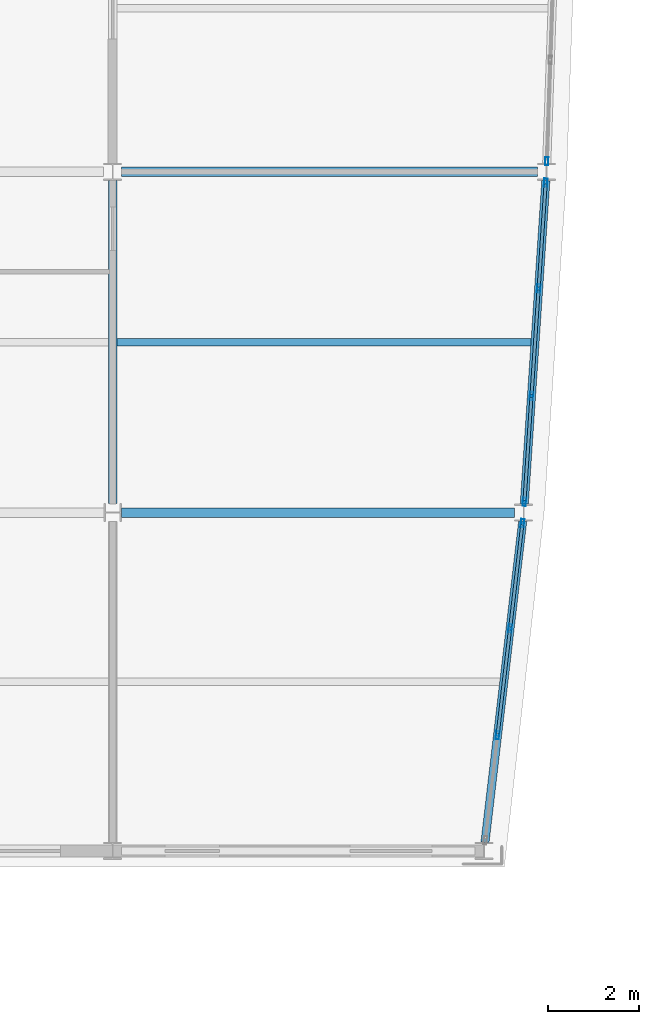
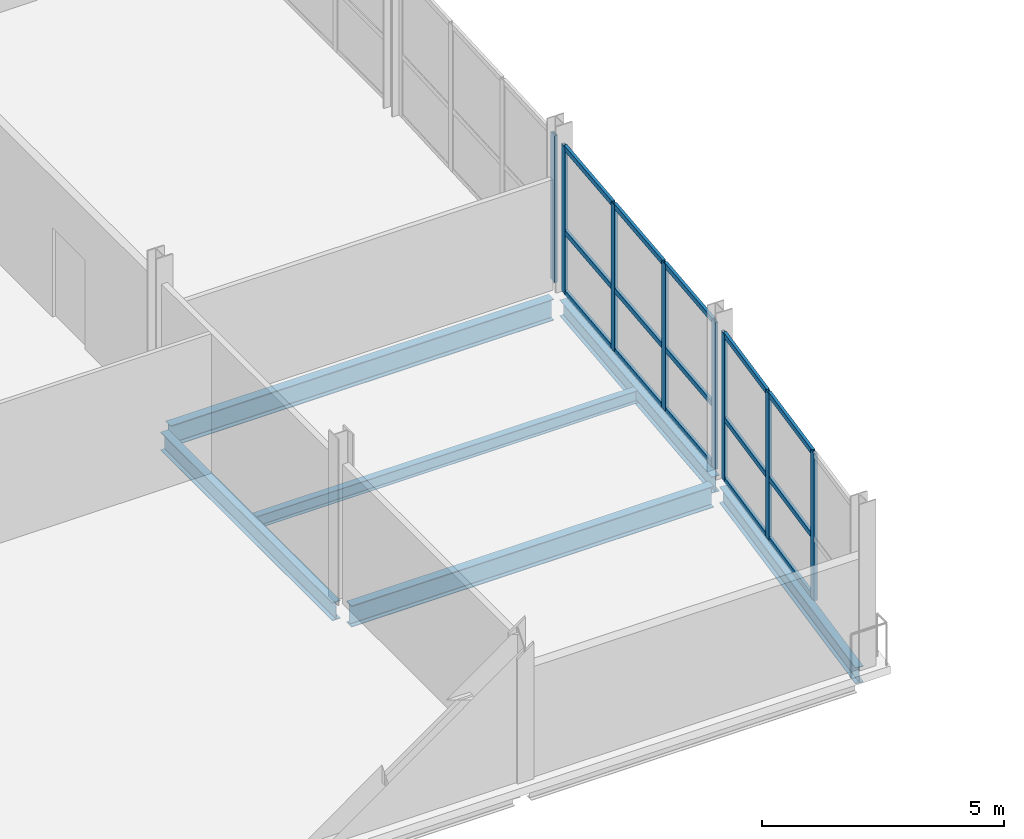
# One storey, part 6 of 36: 23 members, 6 beams, 3 elements without a shape of their own.
"""IFC4 building model written with IfcOpenShell, lengths in metres."""

from ifc_helpers import new_model, si_unit, direction, frame, origin, origin_2d, place, context, subcontext, project, spatial, hollow_rectangle, i_section, extrude, material, layer, layer_set, material_profile, profile_set, type_object, element, aggregate, save


model = new_model("IFC4")

# Units and contexts
model_context = context("Model", 3, precision=1e-05, world=origin(), true_north=direction((0.0, 1.0)))
body_context = subcontext(model_context, "Body", "Model", "MODEL_VIEW")
ifc_project = project(units=[si_unit("LENGTHUNIT", "METRE"), si_unit("AREAUNIT", "SQUARE_METRE"), si_unit("VOLUMEUNIT", "CUBIC_METRE"), si_unit("PLANEANGLEUNIT", "RADIAN"), si_unit("MASSUNIT", "GRAM", prefix="KILO")], contexts=[model_context])

# Site, building, storey
site_placement = place(None, origin())
site = spatial("IfcSite", under=ifc_project, at=site_placement, CompositionType="ELEMENT")
building_placement = place(site_placement, origin())
building = spatial("IfcBuilding", under=site, at=building_placement, Name="Quillay Park Conservatory", CompositionType="ELEMENT")
storey_placement = place(building_placement, frame((0.0, 0.0, 18.300048828125)))
storey = spatial("IfcBuildingStorey", under=building, at=storey_placement, Name="L04", CompositionType="ELEMENT", Elevation=18.300048828125)

# Beam
ifc_material_1 = material(Name="Steel ASTM A992 Grade 50", Category="steel")
ifc_material_profile_1 = material_profile(ifc_material_1, i_section(OverallWidth=0.166015625, OverallDepth=0.31298828125, WebThickness=0.006591796875, FlangeThickness=0.01123046875, FilletRadius=0.010009765625, at=origin_2d()), Name="W310x45")
ifc_profile_set_1 = profile_set([ifc_material_profile_1], Name="Steel ASTM A992 Grade 50")
beam_type_1 = type_object("IfcBeamType", Name="COMPOSITE FLOOR JOIST W310 X45", PredefinedType="JOIST", material=ifc_profile_set_1)
beam_1_placement = place(storey_placement, frame((19.845947265625, 74.25, -0.3564453125), z_axis=(1.0, 0.0, 0.0), x_axis=(0.0, 1.0, 0.0)))
element("IfcBeam", 1, at=beam_1_placement, inside=storey, type_object=beam_type_1, Name="L04 beam BM-J-0346", PredefinedType="JOIST", context=body_context, shape_type="SweptSolid", body=[
    extrude(i_section(OverallWidth=0.166015625, OverallDepth=0.31298828125, WebThickness=0.006591796875, FlangeThickness=0.01123046875, FilletRadius=0.010009765625, at=origin_2d()), origin(), (0.0, 0.0, 1.0), 9.114013671875),
])

# Curtain wall, members
ifc_material_2 = material(Name="Thermally Broken Anodised Aluminium 6063-T6", Category="aluminium")
ifc_layer = layer(ifc_material_2, 0.179931640625)
ifc_layer_set = layer_set([ifc_layer], Name="UNITISED CURTAIN WALL TOWER (Thermally Broken Anodised Aluminium 6063-T6)")
curtain_wall_type = type_object("IfcCurtainWallType", Name="UNITISED CURTAIN WALL TOWER", PredefinedType="USERDEFINED", material=ifc_layer_set)
curtain_wall_1_placement = place(storey_placement, origin())
curtain_wall_1 = element("IfcCurtainWall", 2, at=curtain_wall_1_placement, inside=storey, type_object=curtain_wall_type, Name="L04 Unitised Curtain Wall 038", ObjectType="UNITISED CURTAIN WALL", PredefinedType="USERDEFINED")
ifc_material_3 = material(Name="Thermally Broken Anodised Aluminium 6063-T6", Category="aluminium")
ifc_material_profile_2 = material_profile(ifc_material_3, hollow_rectangle(XDim=0.070068359375, YDim=0.179931640625, WallThickness=0.00390625, at=origin_2d()), Name="AL70x180x4")
ifc_profile_set_2 = profile_set([ifc_material_profile_2], Name="Thermally Broken Anodised Aluminium 6063-T6")
member_type_1 = type_object("IfcMemberType", Name="CURTAIN WALL MULLION 70 X180", PredefinedType="MULLION", material=ifc_profile_set_2)
member_1_placement = place(storey_placement, frame((28.772705078125, 70.2666015625, 0.0), z_axis=(0.0, 0.0, 1.0), x_axis=(0.993172502804, -0.116654959918, 0.0)))
member_1 = element("IfcMember", 3, at=member_1_placement, type_object=member_type_1, Name="CW-T1 mullion 1", PredefinedType="MULLION", context=body_context, shape_type="SweptSolid", body=[
    extrude(hollow_rectangle(XDim=0.070068359375, YDim=0.179931640625, WallThickness=0.00390625, at=origin_2d()), origin(), (0.0, 0.0, 1.0), 3.7119140625),
])
member_2_placement = place(storey_placement, frame((28.50048828125, 67.950439453125, 0.0), z_axis=(0.0, 0.0, 1.0), x_axis=(0.993172502804, -0.116654959918, 0.0)))
member_2 = element("IfcMember", 4, at=member_2_placement, type_object=member_type_1, Name="CW-T1 mullion 2", PredefinedType="MULLION", context=body_context, shape_type="SweptSolid", body=[
    extrude(hollow_rectangle(XDim=0.070068359375, YDim=0.179931640625, WallThickness=0.00390625, at=origin_2d()), origin(), (0.0, 0.0, 1.0), 3.7119140625),
])
member_3_placement = place(storey_placement, frame((28.224365234375, 65.599609375, 0.0), z_axis=(0.0, 0.0, 1.0), x_axis=(0.993172502804, -0.116654959918, 0.0)))
member_3 = element("IfcMember", 5, at=member_3_placement, type_object=member_type_1, Name="CW-T1 mullion 3", PredefinedType="MULLION", context=body_context, shape_type="SweptSolid", body=[
    extrude(hollow_rectangle(XDim=0.070068359375, YDim=0.179931640625, WallThickness=0.00390625, at=origin_2d()), origin(), (0.0, 0.0, 1.0), 3.7119140625),
])

curtain_wall_2_placement = place(storey_placement, origin())
curtain_wall_2 = element("IfcCurtainWall", 6, at=curtain_wall_2_placement, inside=storey, type_object=curtain_wall_type, Name="L04 Unitised Curtain Wall 039", ObjectType="UNITISED CURTAIN WALL", PredefinedType="USERDEFINED")
member_4_placement = place(storey_placement, frame((29.284423828125, 77.765380859375, 0.0), z_axis=(0.0, 0.0, 1.0), x_axis=(0.997785033503, -0.0665208758, 0.0)))
member_4 = element("IfcMember", 7, at=member_4_placement, type_object=member_type_1, Name="CW-T1 mullion 1", PredefinedType="MULLION", context=body_context, shape_type="SweptSolid", body=[
    extrude(hollow_rectangle(XDim=0.070068359375, YDim=0.179931640625, WallThickness=0.00390625, at=origin_2d()), origin(), (0.0, 0.0, 1.0), 3.7119140625),
])
member_5_placement = place(storey_placement, frame((29.12890625, 75.433349609375, 0.0), z_axis=(0.0, 0.0, 1.0), x_axis=(0.997785033503, -0.0665208758, 0.0)))
member_5 = element("IfcMember", 8, at=member_5_placement, type_object=member_type_1, Name="CW-T1 mullion 2", PredefinedType="MULLION", context=body_context, shape_type="SweptSolid", body=[
    extrude(hollow_rectangle(XDim=0.070068359375, YDim=0.179931640625, WallThickness=0.00390625, at=origin_2d()), origin(), (0.0, 0.0, 1.0), 3.7119140625),
])
member_6_placement = place(storey_placement, frame((28.97119140625, 73.066650390625, 0.0), z_axis=(0.0, 0.0, 1.0), x_axis=(0.997785033503, -0.0665208758, 0.0)))
member_6 = element("IfcMember", 9, at=member_6_placement, type_object=member_type_1, Name="CW-T1 mullion 3", PredefinedType="MULLION", context=body_context, shape_type="SweptSolid", body=[
    extrude(hollow_rectangle(XDim=0.070068359375, YDim=0.179931640625, WallThickness=0.00390625, at=origin_2d()), origin(), (0.0, 0.0, 1.0), 3.7119140625),
])
member_7_placement = place(storey_placement, frame((28.815673828125, 70.734619140625, 0.0), z_axis=(0.0, 0.0, 1.0), x_axis=(0.997785033503, -0.0665208758, 0.0)))
member_7 = element("IfcMember", 10, at=member_7_placement, type_object=member_type_1, Name="CW-T1 mullion 4", PredefinedType="MULLION", context=body_context, shape_type="SweptSolid", body=[
    extrude(hollow_rectangle(XDim=0.070068359375, YDim=0.179931640625, WallThickness=0.00390625, at=origin_2d()), origin(), (0.0, 0.0, 1.0), 3.7119140625),
])

# Curtain wall, member
curtain_wall_3_placement = place(storey_placement, origin())
curtain_wall_3 = element("IfcCurtainWall", 11, at=curtain_wall_3_placement, inside=storey, type_object=curtain_wall_type, Name="L04 Unitised Curtain Wall 040", ObjectType="UNITISED CURTAIN WALL", PredefinedType="USERDEFINED")
member_8_placement = place(storey_placement, frame((29.30810546875, 78.23486328125, 0.0), z_axis=(0.0, 0.0, 1.0), x_axis=(0.999397310446, -0.034713338537, 0.0)))
member_8 = element("IfcMember", 12, at=member_8_placement, type_object=member_type_1, Name="CW-T1 mullion 4", PredefinedType="MULLION", context=body_context, shape_type="SweptSolid", body=[
    extrude(hollow_rectangle(XDim=0.070068359375, YDim=0.179931640625, WallThickness=0.00390625, at=origin_2d()), origin(), (0.0, 0.0, 1.0), 3.7119140625),
])
aggregate(curtain_wall_3, [member_8])

# Member
ifc_material_4 = material(Name="Thermally Broken Anodised Aluminium 6063-T6", Category="aluminium")
ifc_material_profile_3 = material_profile(ifc_material_4, hollow_rectangle(XDim=0.070068359375, YDim=0.1298828125, WallThickness=0.003173828125, at=origin_2d()), Name="AL70x130x3.2")
ifc_profile_set_3 = profile_set([ifc_material_profile_3], Name="Thermally Broken Anodised Aluminium 6063-T6")
member_type_2 = type_object("IfcMemberType", Name="CURTAIN WALL TRANSOM 70 X130", PredefinedType="USERDEFINED", material=ifc_profile_set_3)
member_9_placement = place(storey_placement, frame((28.7685546875, 70.23193359375, 0.034912109375), z_axis=(-0.116659662976, -0.993171950386, 0.0), x_axis=(0.993171950386, -0.116659662976, 0.0)))
member_9 = element("IfcMember", 13, at=member_9_placement, type_object=member_type_2, Name="CW-T1 transom 1.1", ObjectType="TRANSOM", PredefinedType="USERDEFINED", context=body_context, shape_type="SweptSolid", body=[
    extrude(hollow_rectangle(XDim=0.070068359375, YDim=0.1298828125, WallThickness=0.003173828125, at=origin_2d()), origin(), (0.0, 0.0, 1.0), 2.26220703125),
])

member_10_placement = place(storey_placement, frame((28.7685546875, 70.23193359375, 1.558837890625), z_axis=(-0.116659662976, -0.993171950386, 0.0), x_axis=(0.993171950386, -0.116659662976, 0.0)))
member_10 = element("IfcMember", 14, at=member_10_placement, type_object=member_type_2, Name="CW-T1 transom 1.2", ObjectType="TRANSOM", PredefinedType="USERDEFINED", context=body_context, shape_type="SweptSolid", body=[
    extrude(hollow_rectangle(XDim=0.070068359375, YDim=0.1298828125, WallThickness=0.003173828125, at=origin_2d()), origin(), (0.0, 0.0, 1.0), 2.26220703125),
])

member_11_placement = place(storey_placement, frame((28.7685546875, 70.23193359375, 3.677001953125), z_axis=(-0.116659662976, -0.993171950386, 0.0), x_axis=(0.993171950386, -0.116659662976, 0.0)))
member_11 = element("IfcMember", 15, at=member_11_placement, type_object=member_type_2, Name="CW-T1 transom 1.3", ObjectType="TRANSOM", PredefinedType="USERDEFINED", context=body_context, shape_type="SweptSolid", body=[
    extrude(hollow_rectangle(XDim=0.070068359375, YDim=0.1298828125, WallThickness=0.003173828125, at=origin_2d()), origin(), (0.0, 0.0, 1.0), 2.26220703125),
])

member_12_placement = place(storey_placement, frame((28.49658203125, 67.915771484375, 0.034912109375), z_axis=(-0.116693255048, -0.993168004029, 0.0), x_axis=(0.993168004029, -0.116693255048, 0.0)))
member_12 = element("IfcMember", 16, at=member_12_placement, type_object=member_type_2, Name="CW-T1 transom 2.1", ObjectType="TRANSOM", PredefinedType="USERDEFINED", context=body_context, shape_type="SweptSolid", body=[
    extrude(hollow_rectangle(XDim=0.070068359375, YDim=0.1298828125, WallThickness=0.003173828125, at=origin_2d()), origin(), (0.0, 0.0, 1.0), 2.297119140625),
])

member_13_placement = place(storey_placement, frame((28.49658203125, 67.915771484375, 1.558837890625), z_axis=(-0.116693255048, -0.993168004029, 0.0), x_axis=(0.993168004029, -0.116693255048, 0.0)))
member_13 = element("IfcMember", 17, at=member_13_placement, type_object=member_type_2, Name="CW-T1 transom 2.2", ObjectType="TRANSOM", PredefinedType="USERDEFINED", context=body_context, shape_type="SweptSolid", body=[
    extrude(hollow_rectangle(XDim=0.070068359375, YDim=0.1298828125, WallThickness=0.003173828125, at=origin_2d()), origin(), (0.0, 0.0, 1.0), 2.297119140625),
])

member_14_placement = place(storey_placement, frame((28.49658203125, 67.915771484375, 3.677001953125), z_axis=(-0.116693255048, -0.993168004029, 0.0), x_axis=(0.993168004029, -0.116693255048, 0.0)))
member_14 = element("IfcMember", 18, at=member_14_placement, type_object=member_type_2, Name="CW-T1 transom 2.3", ObjectType="TRANSOM", PredefinedType="USERDEFINED", context=body_context, shape_type="SweptSolid", body=[
    extrude(hollow_rectangle(XDim=0.070068359375, YDim=0.1298828125, WallThickness=0.003173828125, at=origin_2d()), origin(), (0.0, 0.0, 1.0), 2.297119140625),
])

aggregate(curtain_wall_1, [member_1, member_2, member_3, member_9, member_10, member_11, member_12, member_13, member_14])

member_15_placement = place(storey_placement, frame((29.281982421875, 77.73046875, 0.034912109375), z_axis=(-0.066447531676, -0.997789920542, 0.0), x_axis=(0.997789920542, -0.066447531676, 0.0)))
member_15 = element("IfcMember", 19, at=member_15_placement, type_object=member_type_2, Name="CW-T1 transom 1.1", ObjectType="TRANSOM", PredefinedType="USERDEFINED", context=body_context, shape_type="SweptSolid", body=[
    extrude(hollow_rectangle(XDim=0.070068359375, YDim=0.1298828125, WallThickness=0.003173828125, at=origin_2d()), origin(), (0.0, 0.0, 1.0), 2.26708984375),
])

member_16_placement = place(storey_placement, frame((29.281982421875, 77.73046875, 1.558837890625), z_axis=(-0.066447531676, -0.997789920542, 0.0), x_axis=(0.997789920542, -0.066447531676, 0.0)))
member_16 = element("IfcMember", 20, at=member_16_placement, type_object=member_type_2, Name="CW-T1 transom 1.2", ObjectType="TRANSOM", PredefinedType="USERDEFINED", context=body_context, shape_type="SweptSolid", body=[
    extrude(hollow_rectangle(XDim=0.070068359375, YDim=0.1298828125, WallThickness=0.003173828125, at=origin_2d()), origin(), (0.0, 0.0, 1.0), 2.26708984375),
])

member_17_placement = place(storey_placement, frame((29.281982421875, 77.73046875, 3.677001953125), z_axis=(-0.066447531676, -0.997789920542, 0.0), x_axis=(0.997789920542, -0.066447531676, 0.0)))
member_17 = element("IfcMember", 21, at=member_17_placement, type_object=member_type_2, Name="CW-T1 transom 1.3", ObjectType="TRANSOM", PredefinedType="USERDEFINED", context=body_context, shape_type="SweptSolid", body=[
    extrude(hollow_rectangle(XDim=0.070068359375, YDim=0.1298828125, WallThickness=0.003173828125, at=origin_2d()), origin(), (0.0, 0.0, 1.0), 2.26708984375),
])

member_18_placement = place(storey_placement, frame((29.12646484375, 75.3984375, 0.034912109375), z_axis=(-0.066497892916, -0.997786565473, 0.0), x_axis=(0.997786565473, -0.066497892916, 0.0)))
member_18 = element("IfcMember", 22, at=member_18_placement, type_object=member_type_2, Name="CW-T1 transom 2.1", ObjectType="TRANSOM", PredefinedType="USERDEFINED", context=body_context, shape_type="SweptSolid", body=[
    extrude(hollow_rectangle(XDim=0.070068359375, YDim=0.1298828125, WallThickness=0.003173828125, at=origin_2d()), origin(), (0.0, 0.0, 1.0), 2.302001953125),
])

member_19_placement = place(storey_placement, frame((29.12646484375, 75.3984375, 1.558837890625), z_axis=(-0.066497892916, -0.997786565473, 0.0), x_axis=(0.997786565473, -0.066497892916, 0.0)))
member_19 = element("IfcMember", 23, at=member_19_placement, type_object=member_type_2, Name="CW-T1 transom 2.2", ObjectType="TRANSOM", PredefinedType="USERDEFINED", context=body_context, shape_type="SweptSolid", body=[
    extrude(hollow_rectangle(XDim=0.070068359375, YDim=0.1298828125, WallThickness=0.003173828125, at=origin_2d()), origin(), (0.0, 0.0, 1.0), 2.302001953125),
])

member_20_placement = place(storey_placement, frame((29.12646484375, 75.3984375, 3.677001953125), z_axis=(-0.066497892916, -0.997786565473, 0.0), x_axis=(0.997786565473, -0.066497892916, 0.0)))
member_20 = element("IfcMember", 24, at=member_20_placement, type_object=member_type_2, Name="CW-T1 transom 2.3", ObjectType="TRANSOM", PredefinedType="USERDEFINED", context=body_context, shape_type="SweptSolid", body=[
    extrude(hollow_rectangle(XDim=0.070068359375, YDim=0.1298828125, WallThickness=0.003173828125, at=origin_2d()), origin(), (0.0, 0.0, 1.0), 2.302001953125),
])

member_21_placement = place(storey_placement, frame((28.96875, 73.031494140625, 0.034912109375), z_axis=(-0.066554749564, -0.997782774611, 0.0), x_axis=(0.997782774611, -0.066554749564, 0.0)))
member_21 = element("IfcMember", 25, at=member_21_placement, type_object=member_type_2, Name="CW-T1 transom 3.1", ObjectType="TRANSOM", PredefinedType="USERDEFINED", context=body_context, shape_type="SweptSolid", body=[
    extrude(hollow_rectangle(XDim=0.070068359375, YDim=0.1298828125, WallThickness=0.003173828125, at=origin_2d()), origin(), (0.0, 0.0, 1.0), 2.26708984375),
])

member_22_placement = place(storey_placement, frame((28.96875, 73.031494140625, 1.558837890625), z_axis=(-0.066554749564, -0.997782774611, 0.0), x_axis=(0.997782774611, -0.066554749564, 0.0)))
member_22 = element("IfcMember", 26, at=member_22_placement, type_object=member_type_2, Name="CW-T1 transom 3.2", ObjectType="TRANSOM", PredefinedType="USERDEFINED", context=body_context, shape_type="SweptSolid", body=[
    extrude(hollow_rectangle(XDim=0.070068359375, YDim=0.1298828125, WallThickness=0.003173828125, at=origin_2d()), origin(), (0.0, 0.0, 1.0), 2.26708984375),
])

member_23_placement = place(storey_placement, frame((28.96875, 73.031494140625, 3.677001953125), z_axis=(-0.066554749564, -0.997782774611, 0.0), x_axis=(0.997782774611, -0.066554749564, 0.0)))
member_23 = element("IfcMember", 27, at=member_23_placement, type_object=member_type_2, Name="CW-T1 transom 3.3", ObjectType="TRANSOM", PredefinedType="USERDEFINED", context=body_context, shape_type="SweptSolid", body=[
    extrude(hollow_rectangle(XDim=0.070068359375, YDim=0.1298828125, WallThickness=0.003173828125, at=origin_2d()), origin(), (0.0, 0.0, 1.0), 2.26708984375),
])

aggregate(curtain_wall_2, [member_4, member_5, member_6, member_7, member_15, member_16, member_17, member_18, member_19, member_20, member_21, member_22, member_23])

# Beams
ifc_material_5 = material(Name="Steel ASTM A992 Grade 50", Category="steel")
ifc_material_profile_4 = material_profile(ifc_material_5, i_section(OverallWidth=0.179931640625, OverallDepth=0.4130859375, WebThickness=0.009765625, FlangeThickness=0.01611328125, FilletRadius=0.011962890625, at=origin_2d()), Name="W410x74")
ifc_profile_set_4 = profile_set([ifc_material_profile_4], Name="Steel ASTM A992 Grade 50")
beam_type_2 = type_object("IfcBeamType", Name="PERIMETER SPANDREL BEAM W410 X74", PredefinedType="SPANDREL", material=ifc_profile_set_4)
beam_2_placement = place(storey_placement, frame((27.947265625, 63.23876953125, -0.406494140625), z_axis=(0.116634370571, 0.993174920949, 0.0), x_axis=(-0.993174920949, 0.116634370571, 0.0)))
element("IfcBeam", 28, at=beam_2_placement, inside=storey, type_object=beam_type_2, Name="L04 beam BM-SPE-0335", PredefinedType="SPANDREL", context=body_context, shape_type="SweptSolid", body=[
    extrude(i_section(OverallWidth=0.179931640625, OverallDepth=0.4130859375, WebThickness=0.009765625, FlangeThickness=0.01611328125, FilletRadius=0.011962890625, at=origin_2d()), origin(), (0.0, 0.0, 1.0), 7.12109375),
])
beam_3_placement = place(storey_placement, frame((28.8125, 70.689697265625, -0.406494140625), z_axis=(0.066539445993, 0.997783795282, 0.0), x_axis=(-0.997783795282, 0.066539445993, 0.0)))
element("IfcBeam", 29, at=beam_3_placement, inside=storey, type_object=beam_type_2, Name="L04 beam BM-SPE-0342", PredefinedType="SPANDREL", context=body_context, shape_type="SweptSolid", body=[
    extrude(i_section(OverallWidth=0.179931640625, OverallDepth=0.4130859375, WebThickness=0.009765625, FlangeThickness=0.01611328125, FilletRadius=0.011962890625, at=origin_2d()), origin(), (0.0, 0.0, 1.0), 7.136474609375),
])
ifc_material_6 = material(Name="Steel ASTM A992 Grade 50", Category="steel")
ifc_material_profile_5 = material_profile(ifc_material_6, i_section(OverallWidth=0.19189453125, OverallDepth=0.462890625, WebThickness=0.010498046875, FlangeThickness=0.017578125, FilletRadius=0.012939453125, at=origin_2d()), Name="W460x89")
ifc_profile_set_5 = profile_set([ifc_material_profile_5], Name="Steel ASTM A992 Grade 50")
beam_type_3 = type_object("IfcBeamType", Name="PRIMARY FLOOR GIRDER W460 X89", PredefinedType="BEAM", material=ifc_profile_set_5)
beam_4_placement = place(storey_placement, frame((19.75, 70.697509765625, -0.431640625), z_axis=(0.0, 1.0, 0.0), x_axis=(-1.0, 0.0, 0.0)))
element("IfcBeam", 30, at=beam_4_placement, inside=storey, type_object=beam_type_3, Name="L04 beam BM-GNS-0344", PredefinedType="BEAM", context=body_context, shape_type="SweptSolid", body=[
    extrude(i_section(OverallWidth=0.19189453125, OverallDepth=0.462890625, WebThickness=0.010498046875, FlangeThickness=0.017578125, FilletRadius=0.012939453125, at=origin_2d()), origin(), (0.0, 0.0, 1.0), 7.112548828125),
])
ifc_material_7 = material(Name="Steel ASTM A992 Grade 50", Category="steel")
ifc_material_profile_6 = material_profile(ifc_material_7, i_section(OverallWidth=0.2109375, OverallDepth=0.5390625, WebThickness=0.01171875, FlangeThickness=0.018798828125, FilletRadius=0.013916015625, at=origin_2d()), Name="W530x109")
ifc_profile_set_6 = profile_set([ifc_material_profile_6], Name="Steel ASTM A992 Grade 50")
beam_type_4 = type_object("IfcBeamType", Name="PRIMARY FLOOR GIRDER W530 X109", PredefinedType="BEAM", material=ifc_profile_set_6)
beam_5_placement = place(storey_placement, frame((19.93994140625, 70.5, -0.469482421875), z_axis=(1.0, 0.0, 0.0), x_axis=(0.0, 1.0, 0.0)))
element("IfcBeam", 31, at=beam_5_placement, inside=storey, type_object=beam_type_4, Name="L04 beam BM-G-0317", PredefinedType="BEAM", context=body_context, shape_type="SweptSolid", body=[
    extrude(i_section(OverallWidth=0.2109375, OverallDepth=0.5390625, WebThickness=0.01171875, FlangeThickness=0.018798828125, FilletRadius=0.013916015625, at=origin_2d()), origin(), (0.0, 0.0, 1.0), 8.66259765625),
])
beam_6_placement = place(storey_placement, frame((19.947509765625, 78.0, -0.469482421875), z_axis=(1.0, 0.0, 0.0), x_axis=(0.0, 1.0, 0.0)))
element("IfcBeam", 32, at=beam_6_placement, inside=storey, type_object=beam_type_4, Name="L04 beam BM-G-0320", PredefinedType="BEAM", context=body_context, shape_type="SweptSolid", body=[
    extrude(i_section(OverallWidth=0.2109375, OverallDepth=0.5390625, WebThickness=0.01171875, FlangeThickness=0.018798828125, FilletRadius=0.013916015625, at=origin_2d()), origin(), (0.0, 0.0, 1.0), 9.155029296875),
])

save(model, "model.ifc")
